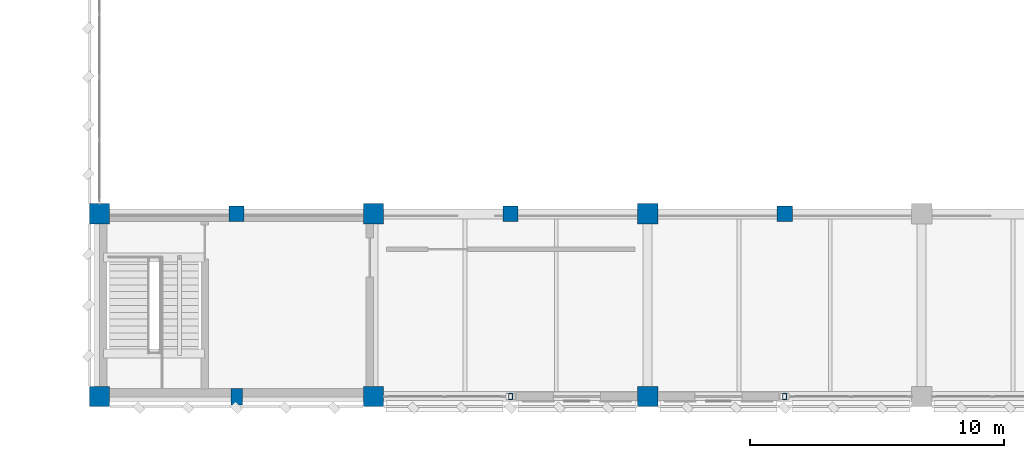
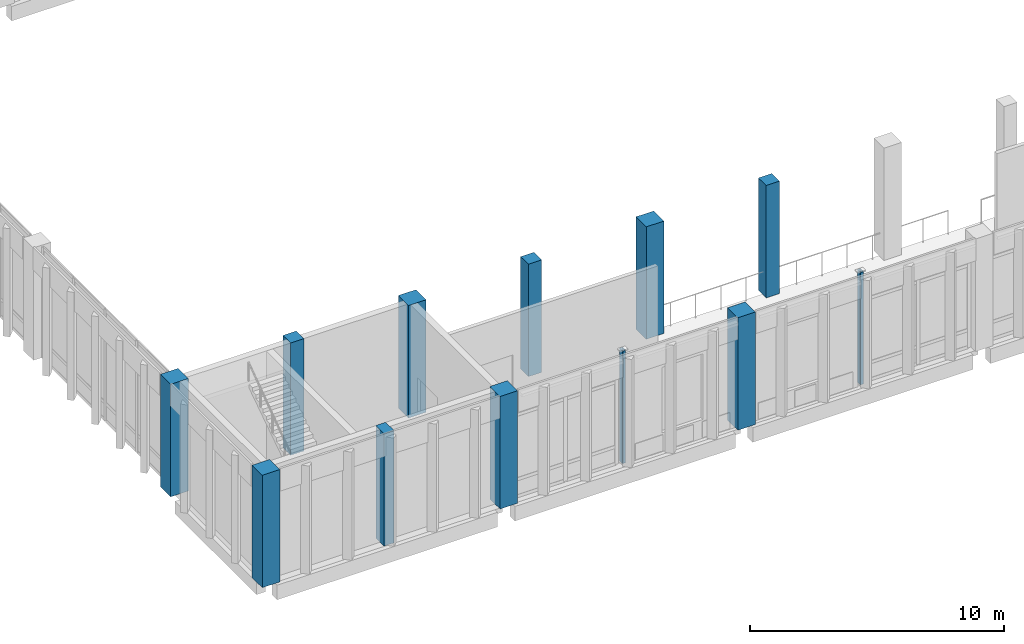
# One storey, part 1 of 180: 12 columns.
"""IFC4 building model written with IfcOpenShell, lengths in metres."""

from ifc_helpers import new_model, si_unit, direction, frame, origin, origin_2d, place, context, subcontext, project, spatial, rectangle, hollow_rectangle, extrude, material, material_profile, profile_set, type_object, element, save


model = new_model("IFC4")

# Units and contexts
model_context = context("Model", 3, precision=1e-05, world=origin(), true_north=direction((0.0, 1.0)))
body_context = subcontext(model_context, "Body", "Model", "MODEL_VIEW")
ifc_project = project(units=[si_unit("LENGTHUNIT", "METRE"), si_unit("AREAUNIT", "SQUARE_METRE"), si_unit("VOLUMEUNIT", "CUBIC_METRE"), si_unit("PLANEANGLEUNIT", "RADIAN"), si_unit("MASSUNIT", "GRAM", prefix="KILO")], contexts=[model_context])

# Site, building, storey
site_placement = place(None, origin())
site = spatial("IfcSite", under=ifc_project, at=site_placement, CompositionType="ELEMENT")
building_placement = place(site_placement, origin())
building = spatial("IfcBuilding", under=site, at=building_placement, Name="Lusvemor Sports Hall", CompositionType="ELEMENT")
storey_placement = place(building_placement, frame((0.0, 0.0, 5.39990234375)))
storey = spatial("IfcBuildingStorey", under=building, at=storey_placement, Name="L01", CompositionType="ELEMENT", Elevation=5.39990234375)

# Columns
ifc_material_1 = material(Name="Concrete C40/50", Category="concrete")
ifc_material_profile_1 = material_profile(ifc_material_1, rectangle(XDim=0.800048828125, YDim=0.800048828125, at=origin_2d()), Name="RC800x800")
ifc_profile_set_1 = profile_set([ifc_material_profile_1], Name="Concrete C40/50")
column_type_1 = type_object("IfcColumnType", Name="COL_HALL_W", PredefinedType="COLUMN", material=ifc_profile_set_1)
for number, where, z_axis, x_axis, name in (
    (1, (0.0, 0.0, 0.0), (0.0, 0.0, 1.0), (1.0, 0.0, 0.0), "Column 1/A (L01)"),
    (2, (0.0, 7.199951171875, 0.0), (0.0, 0.0, 1.0), (1.0, 0.0, 0.0), "Column 1/B (L01)"),
    (3, (10.800048828125, 0.0, 0.0), (0.0, 0.0, 1.0), (1.0, 0.0, 0.0), "Column 2/A (L01)"),
    (4, (10.800048828125, 7.199951171875, 0.0), (0.0, 0.0, 1.0), (1.0, 0.0, 0.0), "Column 2/B (L01)"),
    (5, (21.60009765625, 0.0, 0.0), (0.0, 0.0, 1.0), (1.0, 0.0, 0.0), "Column 3/A (L01)"),
    (6, (21.60009765625, 7.199951171875, 0.0), (0.0, 0.0, 1.0), (1.0, 0.0, 0.0), "Column 3/B (L01)"),
):
    element("IfcColumn", number, at=place(storey_placement, frame(where, z_axis=z_axis, x_axis=x_axis)), inside=storey, type_object=column_type_1, Name=name, PredefinedType="COLUMN", context=body_context, shape_type="SweptSolid", body=[
        extrude(rectangle(XDim=0.800048828125, YDim=0.800048828125, at=origin_2d()), origin(), (0.0, 0.0, 1.0), 5.400146484375),
    ])
ifc_material_2 = material(Name="Concrete C40/50", Category="concrete")
ifc_material_profile_2 = material_profile(ifc_material_2, rectangle(XDim=0.60009765625, YDim=0.60009765625, at=origin_2d()), Name="RC600x600")
ifc_profile_set_2 = profile_set([ifc_material_profile_2], Name="Concrete C40/50")
column_type_2 = type_object("IfcColumnType", Name="COL_WING_L", PredefinedType="COLUMN", material=ifc_profile_set_2)
for number, where, z_axis, x_axis, name in (
    (7, (5.39990234375, 7.199951171875, 0.0), (0.0, 0.0, 1.0), (1.0, 0.0, 0.0), "Wave Mid-Bay Column S1 (L01)"),
    (8, (16.199951171875, 7.199951171875, 0.0), (0.0, 0.0, 1.0), (1.0, 0.0, 0.0), "Wave Mid-Bay Column S2 (L01)"),
    (9, (27.0, 7.199951171875, 0.0), (0.0, 0.0, 1.0), (1.0, 0.0, 0.0), "Wave Mid-Bay Column S3 (L01)"),
):
    element("IfcColumn", number, at=place(storey_placement, frame(where, z_axis=z_axis, x_axis=x_axis)), inside=storey, type_object=column_type_2, Name=name, PredefinedType="COLUMN", context=body_context, shape_type="SweptSolid", body=[
        extrude(rectangle(XDim=0.60009765625, YDim=0.60009765625, at=origin_2d()), origin(), (0.0, 0.0, 1.0), 5.400146484375),
    ])
ifc_material_3 = material(Name="Concrete C40/50", Category="concrete")
ifc_material_profile_3 = material_profile(ifc_material_3, rectangle(XDim=0.449951171875, YDim=0.64990234375, at=origin_2d()), Name="RC450x650")
ifc_profile_set_3 = profile_set([ifc_material_profile_3], Name="Concrete C40/50")
column_type_3 = type_object("IfcColumnType", Name="PIL_BOUL_E", PredefinedType="PILASTER", material=ifc_profile_set_3)
column_placement = place(storey_placement, frame((5.39990234375, 0.0, 0.0), z_axis=(0.0, 0.0, 1.0), x_axis=(1.0, 0.0, 0.0)))
element("IfcColumn", 10, at=column_placement, inside=storey, type_object=column_type_3, Name="Boulevard Pilaster S0 (L01)", PredefinedType="PILASTER", context=body_context, shape_type="SweptSolid", body=[
    extrude(rectangle(XDim=0.449951171875, YDim=0.64990234375, at=origin_2d()), origin(), (0.0, 0.0, 1.0), 5.400146484375),
])
ifc_material_4 = material(Name="Steel S355", Category="steel")
ifc_material_profile_4 = material_profile(ifc_material_4, hollow_rectangle(XDim=0.14990234375, YDim=0.25, WallThickness=0.010009765625, InnerFilletRadius=0.010009765625, OuterFilletRadius=0.02001953125, at=origin_2d()), Name="RHS250x150x10")
ifc_profile_set_4 = profile_set([ifc_material_profile_4], Name="Steel S355")
column_type_4 = type_object("IfcColumnType", Name="PIL_COURT_E", PredefinedType="PILASTER", material=ifc_profile_set_4)
for number, where, z_axis, x_axis, name in (
    (11, (16.199951171875, 0.0, 0.0), (0.0, 0.0, 1.0), (1.0, 0.0, 0.0), "Boulevard Pilaster S1 (L01)"),
    (12, (27.0, 0.0, 0.0), (0.0, 0.0, 1.0), (1.0, 0.0, 0.0), "Boulevard Pilaster S2 (L01)"),
):
    element("IfcColumn", number, at=place(storey_placement, frame(where, z_axis=z_axis, x_axis=x_axis)), inside=storey, type_object=column_type_4, Name=name, PredefinedType="PILASTER", context=body_context, shape_type="SweptSolid", body=[
        extrude(hollow_rectangle(XDim=0.14990234375, YDim=0.25, WallThickness=0.010009765625, InnerFilletRadius=0.010009765625, OuterFilletRadius=0.02001953125, at=origin_2d()), origin(), (0.0, 0.0, 1.0), 5.400146484375),
    ])

save(model, "model.ifc")
